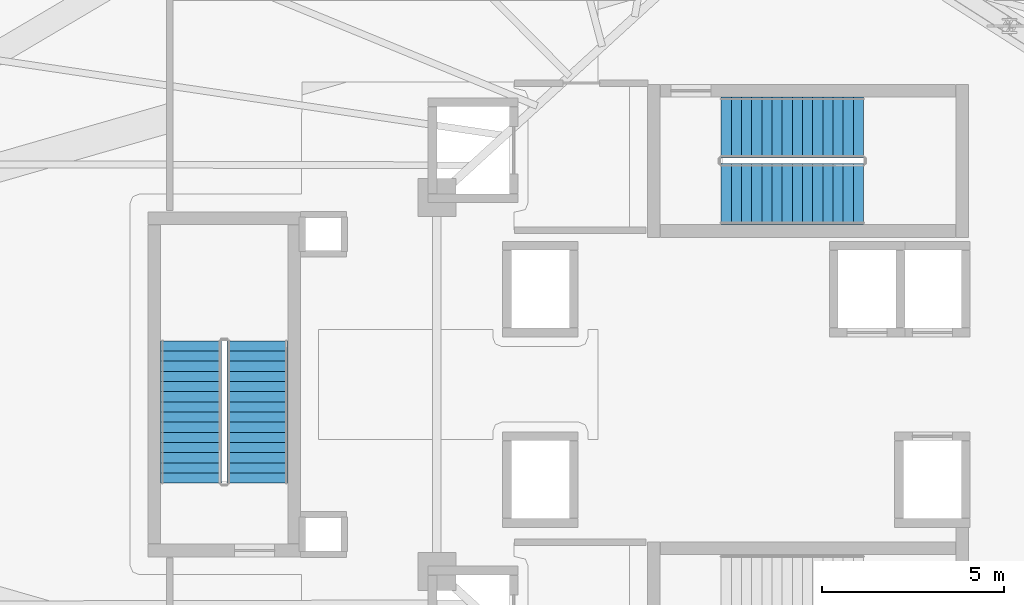
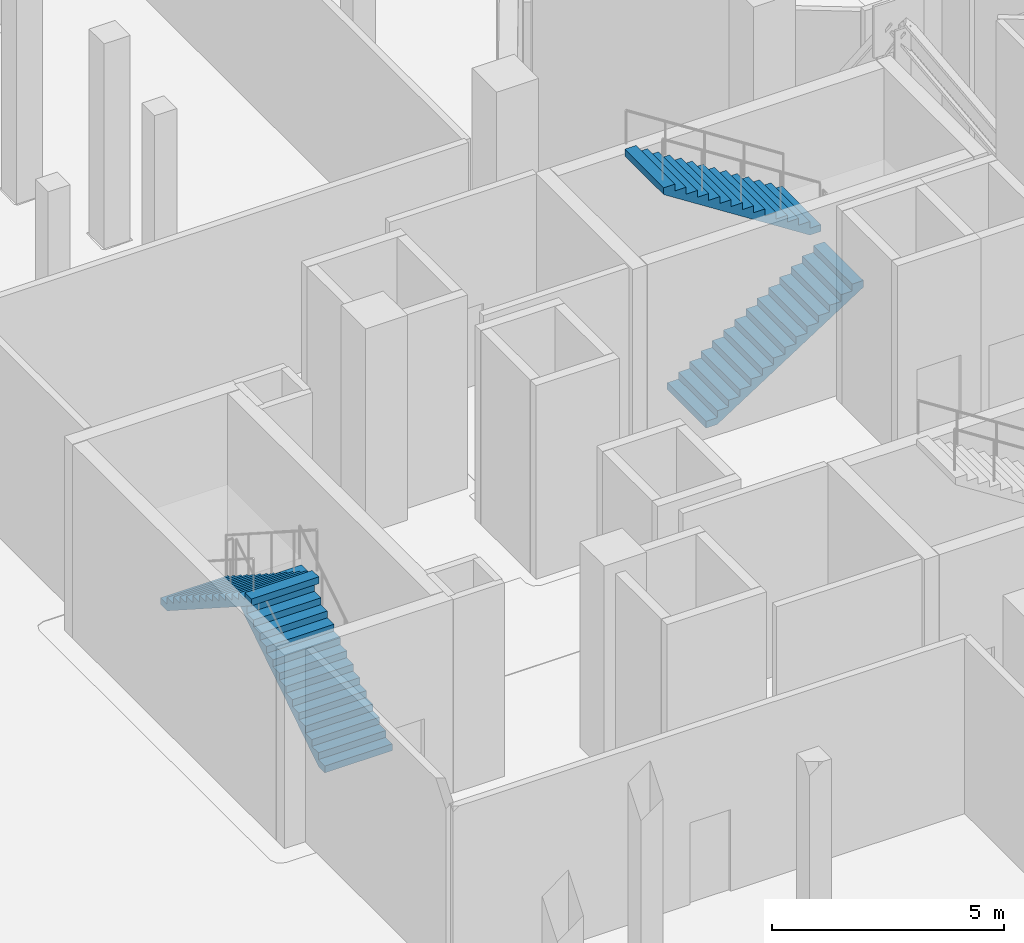
# One storey, part 7 of 12: 4 stair flights, 2 elements without a shape of their own.
"""IFC4 building model written with IfcOpenShell, lengths in metres."""

import ifcopenshell
import ifcopenshell.guid

model = None  # the IFC model being written
_history = None  # IfcOwnerHistory: only IFC2X3 demands one
_inside = {}  # id of a spatial element -> (the spatial element, [elements in it])
_under = {}  # id of a project, library or spatial element -> (it, [spatial elements below it])
_declared = {}  # id of a project -> (the project, [libraries it declares])
_typed = {}  # id of a type object -> (the type object, [elements of that type])
_made_of = {}  # id of a material, layer set ... -> (it, [elements and type objects made of it])


def new_model(schema):
    """Start an empty IFC model of exactly this schema.

    Asked for "IFC4X3", IfcOpenShell would pick the latest addendum, in which some entities
    have other attributes; the version numbers below select the first issue.
    IFC2X3 requires an IfcOwnerHistory on every rooted entity: one is made here for all.
    """
    global model, _history
    if schema == "IFC4X3":
        model = ifcopenshell.file(schema_version=(4, 3, 0, 0))
    else:
        model = ifcopenshell.file(schema=schema)
    _inside.clear()
    _under.clear()
    _declared.clear()
    _typed.clear()
    _made_of.clear()
    _history = None
    if model.schema == "IFC2X3":
        org = make("IfcOrganization", Name="unknown")
        user = make(
            "IfcPersonAndOrganization",
            ThePerson=make("IfcPerson", FamilyName="unknown"),
            TheOrganization=org,
        )
        app = make(
            "IfcApplication",
            ApplicationDeveloper=org,
            Version="unknown",
            ApplicationFullName="unknown",
            ApplicationIdentifier="unknown",
        )
        _history = make(
            "IfcOwnerHistory",
            OwningUser=user,
            OwningApplication=app,
            ChangeAction="ADDED",
            CreationDate=0,
        )
    return model


def make(cls, **values):
    """One entity of the class cls with the attributes given. An attribute that is None is left unset."""
    return model.create_entity(
        cls, **{name: value for name, value in values.items() if value is not None}
    )


def rooted(cls, **values):
    """An entity with a GlobalId (a new one), such as an element, a storey or a relation."""
    return make(cls, GlobalId=ifcopenshell.guid.new(), OwnerHistory=_history, **values)


def si_unit(unit_type, name, prefix=None):
    """IfcSIUnit, for example si_unit("LENGTHUNIT", "METRE", prefix="MILLI")."""
    return make("IfcSIUnit", UnitType=unit_type, Prefix=prefix, Name=name)


def assignment(units):
    """IfcUnitAssignment: the units of a project."""
    return None if units is None else make("IfcUnitAssignment", Units=units)


def point(xyz):
    """IfcCartesianPoint."""
    return None if xyz is None else make("IfcCartesianPoint", Coordinates=xyz)


def direction(xyz):
    """IfcDirection."""
    return None if xyz is None else make("IfcDirection", DirectionRatios=xyz)


def frame(location, z_axis=None, x_axis=None):
    """IfcAxis2Placement3D, a coordinate frame: its origin and axes. An axis left out is left unset."""
    return make(
        "IfcAxis2Placement3D",
        Location=point(location),
        Axis=direction(z_axis),
        RefDirection=direction(x_axis),
    )


def origin():
    """The frame at (0, 0, 0) with its axes left unset."""
    return frame((0.0, 0.0, 0.0))


def place(relative_to, where):
    """IfcLocalPlacement: puts the frame where relative to a parent placement (None: the world)."""
    return make(
        "IfcLocalPlacement", PlacementRelTo=relative_to, RelativePlacement=where
    )


def context(
    kind, dimensions, precision=None, world=None, true_north=None, identifier=None
):
    """IfcGeometricRepresentationContext, for example the 3D "Model" context."""
    return make(
        "IfcGeometricRepresentationContext",
        ContextIdentifier=identifier,
        ContextType=kind,
        CoordinateSpaceDimension=dimensions,
        Precision=precision,
        WorldCoordinateSystem=world,
        TrueNorth=true_north,
    )


def subcontext(parent, identifier, kind, view, scale=None):
    """IfcGeometricRepresentationSubContext, for example "Body" below "Model"."""
    return make(
        "IfcGeometricRepresentationSubContext",
        ContextIdentifier=identifier,
        ContextType=kind,
        ParentContext=parent,
        TargetScale=scale,
        TargetView=view,
    )


def project(units=None, contexts=None):
    """IfcProject with its units and contexts."""
    return rooted(
        "IfcProject",
        Name="project",
        RepresentationContexts=contexts,
        UnitsInContext=assignment(units),
    )


def spatial(cls, under=None, at=None, **own):
    """A site, building, storey or space (cls), placed at a placement, below another one or the project."""
    s = rooted(cls, ObjectPlacement=at, **own)
    if under is not None:
        _under.setdefault(under.id(), (under, []))[1].append(s)
    return s


def polyline(points):
    """IfcPolyline through the points."""
    return make("IfcPolyline", Points=[point(p) for p in points])


def outline(outer, holes=None, kind="AREA"):
    """IfcArbitraryClosedProfileDef: a profile drawn as a closed curve; with holes, ...WithVoids."""
    if holes is None:
        return make("IfcArbitraryClosedProfileDef", ProfileType=kind, OuterCurve=outer)
    return make(
        "IfcArbitraryProfileDefWithVoids",
        ProfileType=kind,
        OuterCurve=outer,
        InnerCurves=holes,
    )


def extrude(swept, where, along, depth):
    """IfcExtrudedAreaSolid: the profile swept, set in the frame where, extruded along a direction by depth."""
    return make(
        "IfcExtrudedAreaSolid",
        SweptArea=swept,
        Position=where,
        ExtrudedDirection=direction(along),
        Depth=depth,
    )


def shape(context_of_items, identifier, shape_type, items):
    """IfcShapeRepresentation: the items that make up one representation, for example the "Body"."""
    return make(
        "IfcShapeRepresentation",
        ContextOfItems=context_of_items,
        RepresentationIdentifier=identifier,
        RepresentationType=shape_type,
        Items=items,
    )


def material(Name=None, Category=None):
    """IfcMaterial."""
    return make("IfcMaterial", Name=Name, Category=Category)


def layer(
    of_material, thickness, ventilated=None, Name=None, Category=None, Priority=None
):
    """IfcMaterialLayer: one layer of a wall or slab, of a material (None: an air gap)."""
    return make(
        "IfcMaterialLayer",
        Material=of_material,
        LayerThickness=thickness,
        IsVentilated=ventilated,
        Name=Name,
        Category=Category,
        Priority=Priority,
    )


def layer_set(layers, Name=None):
    """IfcMaterialLayerSet."""
    return make("IfcMaterialLayerSet", MaterialLayers=layers, LayerSetName=Name)


def made_of(thing, what):
    """Note that an element or type object is made of a material, layer set ...; save() writes the relation."""
    if what is not None:
        _made_of.setdefault(what.id(), (what, []))[1].append(thing)
    return thing


def type_object(cls, material=None, **own):
    """A type object (cls), such as IfcWallType, which elements share."""
    return made_of(rooted(cls, **own), material)


def element(
    cls,
    number,
    at=None,
    inside=None,
    cuts=None,
    type_object=None,
    material=None,
    context=None,
    identifier="Body",
    shape_type=None,
    held_by="IfcProductDefinitionShape",
    body=None,
    shapes=None,
    **own,
):
    """One element of the class cls, such as IfcWall. Its Tag is "e" and its number.

    at: its placement. inside: the storey or other place that contains it. cuts: it is an
    opening in that element (IfcRelVoidsElement). A single representation is given by context,
    identifier, shape_type and body (its items); several are given by shapes. held_by: the class
    of the entity that holds the representations. save() writes the other relations.
    """
    e = rooted(cls, Tag="e%d" % number, ObjectPlacement=at, **own)
    if body is not None:
        shapes = [shape(context, identifier, shape_type, body)]
    if shapes is not None:
        e.Representation = make(held_by, Representations=shapes)
    if inside is not None:
        _inside.setdefault(inside.id(), (inside, []))[1].append(e)
    if cuts is not None:
        rooted(
            "IfcRelVoidsElement", RelatingBuildingElement=cuts, RelatedOpeningElement=e
        )
    if type_object is not None:
        _typed.setdefault(type_object.id(), (type_object, []))[1].append(e)
    return made_of(e, material)


def aggregate(whole, parts):
    """IfcRelAggregates: a whole, such as a stair, and the parts it consists of."""
    return rooted("IfcRelAggregates", RelatingObject=whole, RelatedObjects=parts)


def save(model, path):
    """Write the relations noted so far, then the file.

    IfcRelAggregates (storeys below a building ...), IfcRelContainedInSpatialStructure (elements
    in a storey), IfcRelDefinesByType, IfcRelAssociatesMaterial and IfcRelDeclares: one each for
    every whole, place, type object, material and project.
    """
    for whole, parts in _under.values():
        aggregate(whole, parts)
    for where, things in _inside.values():
        rooted(
            "IfcRelContainedInSpatialStructure",
            RelatedElements=things,
            RelatingStructure=where,
        )
    for kind, things in _typed.values():
        rooted("IfcRelDefinesByType", RelatedObjects=things, RelatingType=kind)
    for what, things in _made_of.values():
        rooted("IfcRelAssociatesMaterial", RelatedObjects=things, RelatingMaterial=what)
    for by, libraries in _declared.values():
        rooted("IfcRelDeclares", RelatingContext=by, RelatedDefinitions=libraries)
    model.write(path)


model = new_model("IFC4")

# Units and contexts
model_context = context("Model", 3, precision=1e-05, world=origin(), true_north=direction((0.0, 1.0)))
body_context = subcontext(model_context, "Body", "Model", "MODEL_VIEW")
ifc_project = project(units=[si_unit("LENGTHUNIT", "METRE"), si_unit("AREAUNIT", "SQUARE_METRE"), si_unit("VOLUMEUNIT", "CUBIC_METRE"), si_unit("PLANEANGLEUNIT", "RADIAN"), si_unit("MASSUNIT", "GRAM", prefix="KILO")], contexts=[model_context])

# Site, building, storey
site_placement = place(None, origin())
site = spatial("IfcSite", under=ifc_project, at=site_placement, CompositionType="ELEMENT")
building_placement = place(site_placement, origin())
building = spatial("IfcBuilding", under=site, at=building_placement, Name="Qorvath Tower", CompositionType="ELEMENT")
storey_placement = place(building_placement, frame((0.0, 0.0, 99.60009765625)))
storey = spatial("IfcBuildingStorey", under=building, at=storey_placement, Name="L22", CompositionType="ELEMENT", Elevation=99.60009765625)

# Stair, stair flights
ifc_material_1 = material(Name="Concrete C50/60", Category="concrete")
stair_type = type_object("IfcStairType", Name="ST-H540", PredefinedType="HALF_TURN_STAIR", material=ifc_material_1)
stair_1_placement = place(storey_placement, origin())
stair_1 = element("IfcStair", 1, at=stair_1_placement, inside=storey, type_object=stair_type, Name="L22 Tower Exit Stair 1", PredefinedType="HALF_TURN_STAIR")
ifc_material_2 = material(Name="Concrete C50/60", Category="concrete")
ifc_layer = layer(ifc_material_2, 0.14990234375)
ifc_layer_set = layer_set([ifc_layer], Name="SF-H540")
stair_flight_type = type_object("IfcStairFlightType", Name="SF-H540", PredefinedType="STRAIGHT", material=ifc_layer_set)
stair_flight_1_placement = place(storey_placement, frame((-22.669921875, 5.239990234375, 0.0), z_axis=(0.0, 0.0, 1.0), x_axis=(1.0, 0.0, 0.0)))
stair_flight_1 = element("IfcStairFlight", 2, at=stair_flight_1_placement, type_object=stair_flight_type, Name="TS1 flight 1", NumberOfRisers=15, NumberOfTreads=14, PredefinedType="STRAIGHT", RiserHeight=0.18, TreadLength=0.28, context=body_context, shape_type="SweptSolid", body=[
    extrude(outline(polyline([(0.0, 0.0), (0.0, 0.179931640625), (0.280029296875, 0.179931640625), (0.280029296875, 0.360107421875), (0.56005859375, 0.360107421875), (0.56005859375, 0.5400390625), (0.840087890625, 0.5400390625), (0.840087890625, 0.719970703125), (1.1201171875, 0.719970703125), (1.1201171875, 0.89990234375), (1.39990234375, 0.89990234375), (1.39990234375, 1.080078125), (1.679931640625, 1.080078125), (1.679931640625, 1.260009765625), (1.9599609375, 1.260009765625), (1.9599609375, 1.43994140625), (2.239990234375, 1.43994140625), (2.239990234375, 1.6201171875), (2.52001953125, 1.6201171875), (2.52001953125, 1.800048828125), (2.800048828125, 1.800048828125), (2.800048828125, 1.97998046875), (3.080078125, 1.97998046875), (3.080078125, 2.159912109375), (3.360107421875, 2.159912109375), (3.360107421875, 2.340087890625), (3.639892578125, 2.340087890625), (3.639892578125, 2.52001953125), (3.919921875, 2.52001953125), (3.919921875, 2.699951171875), (3.919921875, 2.341796875), (0.277099609375, 0.0), (0.0, 0.0)])), frame((0.0, 0.83984375, 0.0), z_axis=(0.0, -1.0, 0.0), x_axis=(1.0, 0.0, 0.0)), (0.0, 0.0, 1.0), 1.679931640625),
])
stair_flight_2_placement = place(storey_placement, frame((-18.75, 7.070068359375, 2.699951171875), z_axis=(0.0, 0.0, 1.0), x_axis=(-1.0, 0.0, 0.0)))
stair_flight_2 = element("IfcStairFlight", 3, at=stair_flight_2_placement, type_object=stair_flight_type, Name="TS1 flight 2", NumberOfRisers=15, NumberOfTreads=14, PredefinedType="STRAIGHT", RiserHeight=0.18, TreadLength=0.28, context=body_context, shape_type="SweptSolid", body=[
    extrude(outline(polyline([(0.0, 0.0), (0.0, 0.179931640625), (0.280029296875, 0.179931640625), (0.280029296875, 0.360107421875), (0.56005859375, 0.360107421875), (0.56005859375, 0.5400390625), (0.840087890625, 0.5400390625), (0.840087890625, 0.719970703125), (1.1201171875, 0.719970703125), (1.1201171875, 0.89990234375), (1.39990234375, 0.89990234375), (1.39990234375, 1.080078125), (1.679931640625, 1.080078125), (1.679931640625, 1.260009765625), (1.9599609375, 1.260009765625), (1.9599609375, 1.43994140625), (2.239990234375, 1.43994140625), (2.239990234375, 1.6201171875), (2.52001953125, 1.6201171875), (2.52001953125, 1.800048828125), (2.800048828125, 1.800048828125), (2.800048828125, 1.97998046875), (3.080078125, 1.97998046875), (3.080078125, 2.159912109375), (3.360107421875, 2.159912109375), (3.360107421875, 2.340087890625), (3.639892578125, 2.340087890625), (3.639892578125, 2.52001953125), (3.919921875, 2.52001953125), (3.919921875, 2.699951171875), (3.919921875, 2.341796875), (0.277099609375, 0.0), (0.0, 0.0)])), frame((0.0, 0.83984375, 0.0), z_axis=(0.0, -1.0, 0.0), x_axis=(1.0, 0.0, 0.0)), (0.0, 0.0, 1.0), 1.679931640625),
])
aggregate(stair_1, [stair_flight_1, stair_flight_2])

stair_2_placement = place(storey_placement, origin())
stair_2 = element("IfcStair", 4, at=stair_2_placement, inside=storey, type_object=stair_type, Name="L22 Tower Exit Stair 3", PredefinedType="HALF_TURN_STAIR")
stair_flight_3_placement = place(storey_placement, frame((-35.43994140625, -2.719970703125, 0.0), z_axis=(0.0, 0.0, 1.0), x_axis=(0.0, 1.0, 0.0)))
stair_flight_3 = element("IfcStairFlight", 5, at=stair_flight_3_placement, type_object=stair_flight_type, Name="TS3 flight 1", NumberOfRisers=15, NumberOfTreads=14, PredefinedType="STRAIGHT", RiserHeight=0.18, TreadLength=0.28, context=body_context, shape_type="SweptSolid", body=[
    extrude(outline(polyline([(0.0, 0.0), (0.0, 0.179931640625), (0.280029296875, 0.179931640625), (0.280029296875, 0.360107421875), (0.56005859375, 0.360107421875), (0.56005859375, 0.5400390625), (0.840087890625, 0.5400390625), (0.840087890625, 0.719970703125), (1.1201171875, 0.719970703125), (1.1201171875, 0.89990234375), (1.39990234375, 0.89990234375), (1.39990234375, 1.080078125), (1.679931640625, 1.080078125), (1.679931640625, 1.260009765625), (1.9599609375, 1.260009765625), (1.9599609375, 1.43994140625), (2.239990234375, 1.43994140625), (2.239990234375, 1.6201171875), (2.52001953125, 1.6201171875), (2.52001953125, 1.800048828125), (2.800048828125, 1.800048828125), (2.800048828125, 1.97998046875), (3.080078125, 1.97998046875), (3.080078125, 2.159912109375), (3.360107421875, 2.159912109375), (3.360107421875, 2.340087890625), (3.639892578125, 2.340087890625), (3.639892578125, 2.52001953125), (3.919921875, 2.52001953125), (3.919921875, 2.699951171875), (3.919921875, 2.341796875), (0.277099609375, 0.0), (0.0, 0.0)])), frame((0.0, 0.83984375, 0.0), z_axis=(0.0, -1.0, 0.0), x_axis=(1.0, 0.0, 0.0)), (0.0, 0.0, 1.0), 1.679931640625),
])
stair_flight_4_placement = place(storey_placement, frame((-37.27001953125, 1.199951171875, 2.699951171875), z_axis=(0.0, 0.0, 1.0), x_axis=(0.0, -1.0, 0.0)))
stair_flight_4 = element("IfcStairFlight", 6, at=stair_flight_4_placement, type_object=stair_flight_type, Name="TS3 flight 2", NumberOfRisers=15, NumberOfTreads=14, PredefinedType="STRAIGHT", RiserHeight=0.18, TreadLength=0.28, context=body_context, shape_type="SweptSolid", body=[
    extrude(outline(polyline([(0.0, 0.0), (0.0, 0.179931640625), (0.280029296875, 0.179931640625), (0.280029296875, 0.360107421875), (0.56005859375, 0.360107421875), (0.56005859375, 0.5400390625), (0.840087890625, 0.5400390625), (0.840087890625, 0.719970703125), (1.1201171875, 0.719970703125), (1.1201171875, 0.89990234375), (1.39990234375, 0.89990234375), (1.39990234375, 1.080078125), (1.679931640625, 1.080078125), (1.679931640625, 1.260009765625), (1.9599609375, 1.260009765625), (1.9599609375, 1.43994140625), (2.239990234375, 1.43994140625), (2.239990234375, 1.6201171875), (2.52001953125, 1.6201171875), (2.52001953125, 1.800048828125), (2.800048828125, 1.800048828125), (2.800048828125, 1.97998046875), (3.080078125, 1.97998046875), (3.080078125, 2.159912109375), (3.360107421875, 2.159912109375), (3.360107421875, 2.340087890625), (3.639892578125, 2.340087890625), (3.639892578125, 2.52001953125), (3.919921875, 2.52001953125), (3.919921875, 2.699951171875), (3.919921875, 2.341796875), (0.277099609375, 0.0), (0.0, 0.0)])), frame((0.0, 0.83984375, 0.0), z_axis=(0.0, -1.0, 0.0), x_axis=(1.0, 0.0, 0.0)), (0.0, 0.0, 1.0), 1.679931640625),
])
aggregate(stair_2, [stair_flight_3, stair_flight_4])

save(model, "model.ifc")
